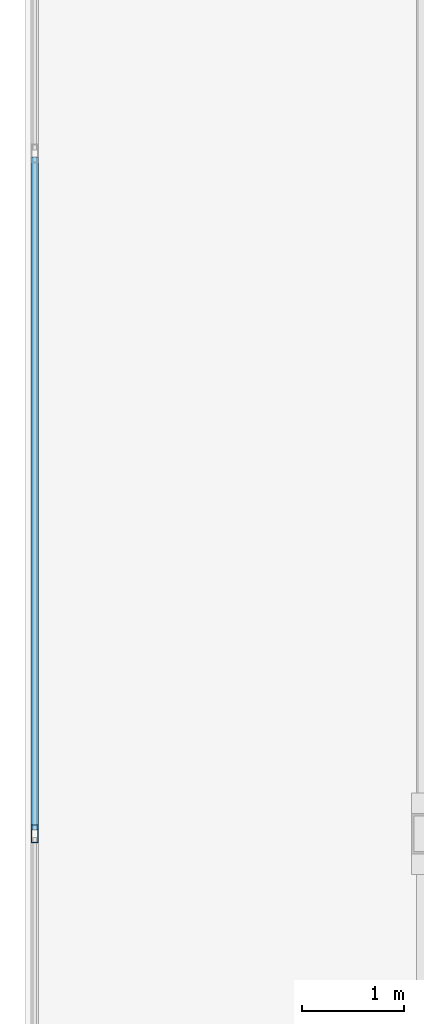
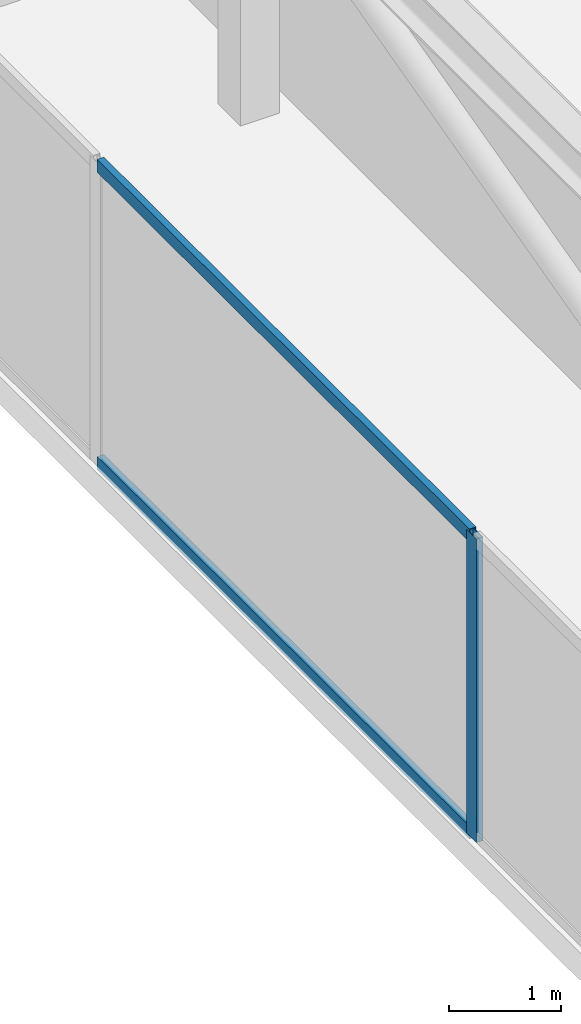
# One storey, part 8 of 25: 3 members, 1 element without a shape of its own.
"""IFC4 building model written with IfcOpenShell, lengths in metres."""

from ifc_helpers import new_model, si_unit, direction, frame, origin, origin_2d, place, context, subcontext, project, spatial, hollow_rectangle, extrude, source, transform, mapped, material, material_profile, profile_set, type_object, type_shapes, element, aggregate, save


model = new_model("IFC4")

# Units and contexts
model_context = context("Model", 3, precision=1e-05, world=origin(), true_north=direction((0.0, 1.0)))
body_context = subcontext(model_context, "Body", "Model", "MODEL_VIEW")
ifc_project = project(units=[si_unit("LENGTHUNIT", "METRE"), si_unit("AREAUNIT", "SQUARE_METRE"), si_unit("VOLUMEUNIT", "CUBIC_METRE"), si_unit("PLANEANGLEUNIT", "RADIAN"), si_unit("MASSUNIT", "GRAM", prefix="KILO")], contexts=[model_context])

# Site, building, storey
site_placement = place(None, origin())
site = spatial("IfcSite", under=ifc_project, at=site_placement, CompositionType="ELEMENT")
building_placement = place(site_placement, origin())
building = spatial("IfcBuilding", under=site, at=building_placement, Name="Krantzveldt Concourse Tower", CompositionType="ELEMENT")
storey_placement = place(building_placement, frame((0.0, 0.0, 374.64990234375)))
storey = spatial("IfcBuildingStorey", under=building, at=storey_placement, Name="L92", CompositionType="ELEMENT", Elevation=374.64990234375)

# Curtain wall, members
ifc_material = material(Name="Anodised aluminium 6063-T6", Category="aluminium")
curtain_wall_type = type_object("IfcCurtainWallType", Name="CW7", PredefinedType="USERDEFINED", material=ifc_material)
curtain_wall_placement = place(storey_placement, origin())
curtain_wall = element("IfcCurtainWall", 1, at=curtain_wall_placement, inside=storey, type_object=curtain_wall_type, Name="CW-L92-WEST-05", ObjectType="UNITISED CURTAIN WALL", PredefinedType="USERDEFINED")
ifc_material_profile_1 = material_profile(ifc_material, hollow_rectangle(XDim=0.070068359375, YDim=0.139892578125, WallThickness=0.0048828125, at=origin_2d()), Name="Anodised aluminium 6063-T6", Category="aluminium")
ifc_profile_set_1 = profile_set([ifc_material_profile_1], Name="Anodised aluminium 6063-T6 - ALU-TRAN 140x70x5")
member_type_1 = type_object("IfcMemberType", Name="CW-TRN-150", PredefinedType="USERDEFINED", material=ifc_profile_set_1)
shared_shape_1 = source(origin(), body_context, "Body", "SweptSolid", [
    extrude(hollow_rectangle(XDim=0.070068359375, YDim=0.139892578125, WallThickness=0.0048828125, at=origin_2d()), origin(), (0.0, 0.0, 1.0), 6.6298828125),
])
type_shapes(member_type_1, [shared_shape_1])
member_1_placement = place(storey_placement, frame((17.090087890625, 33.364990234375, 0.03515625), z_axis=(0.0, -1.0, 0.0), x_axis=(1.0, 0.0, 0.0)))
member_1 = element("IfcMember", 2, at=member_1_placement, type_object=member_type_1, Name="CW-CRN transom 2.1", ObjectType="TRANSOM", PredefinedType="USERDEFINED", context=body_context, shape_type="MappedRepresentation", body=[
    mapped(shared_shape_1, transform((0.0, 0.0, 0.0), x_axis=(1.0, 0.0, 0.0), y_axis=(0.0, 1.0, 0.0), z_axis=(0.0, 0.0, 1.0), scale=1.0)),
])
member_2_placement = place(storey_placement, frame((17.090087890625, 33.364990234375, 3.26513671875), z_axis=(0.0, -1.0, 0.0), x_axis=(1.0, 0.0, 0.0)))
member_2 = element("IfcMember", 3, at=member_2_placement, type_object=member_type_1, Name="CW-CRN transom 2.2", ObjectType="TRANSOM", PredefinedType="USERDEFINED", context=body_context, shape_type="MappedRepresentation", body=[
    mapped(shared_shape_1, transform((0.0, 0.0, 0.0), x_axis=(1.0, 0.0, 0.0), y_axis=(0.0, 1.0, 0.0), z_axis=(0.0, 0.0, 1.0), scale=1.0)),
])
ifc_material_profile_2 = material_profile(ifc_material, hollow_rectangle(XDim=0.070068359375, YDim=0.179931640625, WallThickness=0.0048828125, at=origin_2d()), Name="Anodised aluminium 6063-T6", Category="aluminium")
ifc_profile_set_2 = profile_set([ifc_material_profile_2], Name="Anodised aluminium 6063-T6 - ALU-MULL 180x70x5")
member_type_2 = type_object("IfcMemberType", Name="CW-MUL-180", PredefinedType="MULLION", material=ifc_profile_set_2)
shared_shape_2 = source(origin(), body_context, "Body", "SweptSolid", [
    extrude(hollow_rectangle(XDim=0.070068359375, YDim=0.179931640625, WallThickness=0.0048828125, at=origin_2d()), origin(), (0.0, 0.0, 1.0), 3.300048828125),
])
type_shapes(member_type_2, [shared_shape_2])
member_3_placement = place(storey_placement, frame((17.090087890625, 26.699951171875, 0.0), z_axis=(0.0, 0.0, 1.0), x_axis=(1.0, 0.0, 0.0)))
member_3 = element("IfcMember", 4, at=member_3_placement, type_object=member_type_2, Name="CW-CRN mullion 3", PredefinedType="MULLION", context=body_context, shape_type="MappedRepresentation", body=[
    mapped(shared_shape_2, transform((0.0, 0.0, 0.0), x_axis=(1.0, 0.0, 0.0), y_axis=(0.0, 1.0, 0.0), z_axis=(0.0, 0.0, 1.0), scale=1.0)),
])
aggregate(curtain_wall, [member_3, member_1, member_2])

save(model, "model.ifc")
